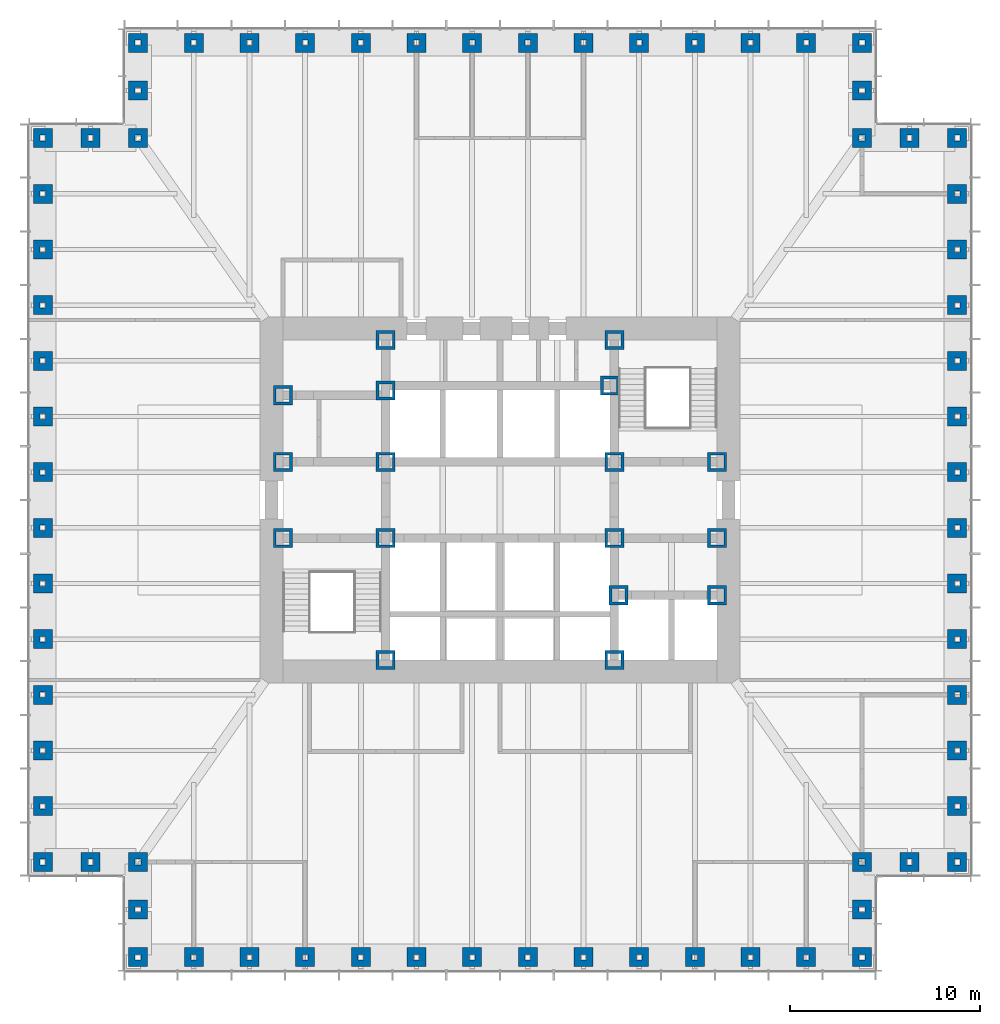
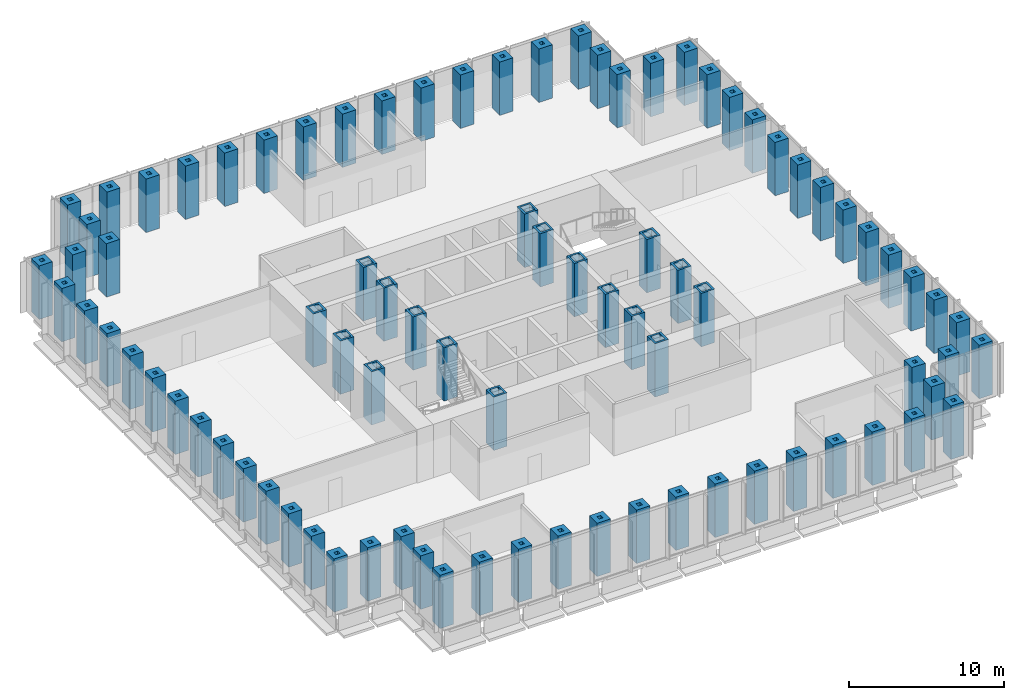
# One storey, part 1 of 16: 85 columns.
"""IFC4 building model written with IfcOpenShell, lengths in metres."""

from ifc_helpers import new_model, si_unit, direction, frame, origin, origin_2d, place, context, subcontext, project, spatial, hollow_rectangle, extrude, material, material_profile, profile_set, type_object, element, save


model = new_model("IFC4")

# Units and contexts
model_context = context("Model", 3, precision=1e-05, world=origin(), true_north=direction((0.0, 1.0)))
body_context = subcontext(model_context, "Body", "Model", "MODEL_VIEW")
ifc_project = project(units=[si_unit("LENGTHUNIT", "METRE"), si_unit("AREAUNIT", "SQUARE_METRE"), si_unit("VOLUMEUNIT", "CUBIC_METRE"), si_unit("PLANEANGLEUNIT", "RADIAN"), si_unit("MASSUNIT", "GRAM", prefix="KILO")], contexts=[model_context])

# Site, building, storey
site_placement = place(None, origin())
site = spatial("IfcSite", under=ifc_project, at=site_placement, CompositionType="ELEMENT")
building_placement = place(site_placement, origin())
building = spatial("IfcBuilding", under=site, at=building_placement, Name="Daluyong Arena Tower", CompositionType="ELEMENT")
storey_placement = place(building_placement, frame((0.0, 0.0, 39.10009765625)))
storey = spatial("IfcBuildingStorey", under=building, at=storey_placement, Name="L07", CompositionType="ELEMENT", Elevation=39.10009765625)

# Columns
ifc_material_1 = material(Name="Steel ASTM A588 Grade 50", Category="steel")
ifc_material_profile_1 = material_profile(ifc_material_1, hollow_rectangle(XDim=1.0, YDim=1.0, WallThickness=0.15, at=origin_2d()))
ifc_profile_set_1 = profile_set([ifc_material_profile_1], Name="Steel ASTM A588 Grade 50")
column_type_1 = type_object("IfcColumnType", Name="Core boundary column BX1000X150", PredefinedType="COLUMN", material=ifc_profile_set_1)
for number, where, z_axis, x_axis, name in (
    (1, (44.60009765625, 78.0, 0.0), (0.0, 0.0, 1.0), (1.0, 0.0, 0.0), "core boundary column BC1"),
    (2, (44.60009765625, 82.0, 0.0), (0.0, 0.0, 1.0), (1.0, 0.0, 0.0), "core boundary column BC1"),
    (3, (44.60009765625, 85.5, 0.0), (0.0, 0.0, 1.0), (1.0, 0.0, 0.0), "core boundary column BC1"),
    (4, (50.0, 71.60009765625, 0.0), (0.0, 0.0, 1.0), (1.0, 0.0, 0.0), "core boundary column BC1"),
    (5, (50.0, 78.0, 0.0), (0.0, 0.0, 1.0), (1.0, 0.0, 0.0), "core boundary column BC1"),
    (6, (50.0, 82.0, 0.0), (0.0, 0.0, 1.0), (1.0, 0.0, 0.0), "core boundary column BC1"),
    (7, (50.0, 85.75, 0.0), (0.0, 0.0, 1.0), (1.0, 0.0, 0.0), "core boundary column BC1"),
    (8, (50.0, 88.39990234375, 0.0), (0.0, 0.0, 1.0), (1.0, 0.0, 0.0), "core boundary column BC1"),
    (9, (61.77490234375, 86.0, 0.0), (0.0, 0.0, 1.0), (1.0, 0.0, 0.0), "core boundary column BC1"),
    (10, (62.0, 71.60009765625, 0.0), (0.0, 0.0, 1.0), (1.0, 0.0, 0.0), "core boundary column BC1"),
    (11, (62.0, 78.0, 0.0), (0.0, 0.0, 1.0), (1.0, 0.0, 0.0), "core boundary column BC1"),
    (12, (62.0, 82.0, 0.0), (0.0, 0.0, 1.0), (1.0, 0.0, 0.0), "core boundary column BC1"),
    (13, (62.0, 88.39990234375, 0.0), (0.0, 0.0, 1.0), (1.0, 0.0, 0.0), "core boundary column BC1"),
    (14, (62.22509765625, 75.0, 0.0), (0.0, 0.0, 1.0), (1.0, 0.0, 0.0), "core boundary column BC1"),
    (15, (67.39990234375, 75.0, 0.0), (0.0, 0.0, 1.0), (1.0, 0.0, 0.0), "core boundary column BC1"),
    (16, (67.39990234375, 78.0, 0.0), (0.0, 0.0, 1.0), (1.0, 0.0, 0.0), "core boundary column BC1"),
    (17, (67.39990234375, 82.0, 0.0), (0.0, 0.0, 1.0), (1.0, 0.0, 0.0), "core boundary column BC1"),
):
    element("IfcColumn", number, at=place(storey_placement, frame(where, z_axis=z_axis, x_axis=x_axis)), inside=storey, type_object=column_type_1, Name=name, PredefinedType="COLUMN", context=body_context, shape_type="SweptSolid", body=[
        extrude(hollow_rectangle(XDim=1.0, YDim=1.0, WallThickness=0.15, at=origin_2d()), origin(), (0.0, 0.0, 1.0), 4.199951171875),
    ])
ifc_material_2 = material(Name="Steel ASTM A36", Category="steel")
ifc_material_profile_2 = material_profile(ifc_material_2, hollow_rectangle(XDim=1.0, YDim=1.0, WallThickness=0.35, at=origin_2d()))
ifc_profile_set_2 = profile_set([ifc_material_profile_2], Name="Steel ASTM A36")
column_type_2 = type_object("IfcColumnType", Name="Tube column BX1000X350 BX1000X350", PredefinedType="COLUMN", material=ifc_profile_set_2)
for number, where, z_axis, x_axis, name in (
    (18, (37.0, 56.0, 0.0), (0.0, 0.0, 1.0), (1.0, 0.0, 0.0), "tube column bx1000x350 TC3"),
    (19, (39.923095703125, 56.0, 0.0), (0.0, 0.0, 1.0), (1.0, 0.0, 0.0), "tube column bx1000x350 TC3"),
    (20, (42.84619140625, 56.0, 0.0), (0.0, 0.0, 1.0), (1.0, 0.0, 0.0), "tube column bx1000x350 TC3"),
    (21, (45.769287109375, 56.0, 0.0), (0.0, 0.0, 1.0), (1.0, 0.0, 0.0), "tube column bx1000x350 TC3"),
    (22, (48.6923828125, 56.0, 0.0), (0.0, 0.0, 1.0), (1.0, 0.0, 0.0), "tube column bx1000x350 TC3"),
    (23, (51.615478515625, 56.0, 0.0), (0.0, 0.0, 1.0), (1.0, 0.0, 0.0), "tube column bx1000x350 TC3"),
    (24, (54.53857421875, 56.0, 0.0), (0.0, 0.0, 1.0), (1.0, 0.0, 0.0), "tube column bx1000x350 TC3"),
    (25, (57.46142578125, 56.0, 0.0), (0.0, 0.0, 1.0), (1.0, 0.0, 0.0), "tube column bx1000x350 TC3"),
    (26, (60.384521484375, 56.0, 0.0), (0.0, 0.0, 1.0), (1.0, 0.0, 0.0), "tube column bx1000x350 TC3"),
    (27, (63.3076171875, 56.0, 0.0), (0.0, 0.0, 1.0), (1.0, 0.0, 0.0), "tube column bx1000x350 TC3"),
    (28, (66.230712890625, 56.0, 0.0), (0.0, 0.0, 1.0), (1.0, 0.0, 0.0), "tube column bx1000x350 TC3"),
    (29, (69.15380859375, 56.0, 0.0), (0.0, 0.0, 1.0), (1.0, 0.0, 0.0), "tube column bx1000x350 TC3"),
    (30, (72.076904296875, 56.0, 0.0), (0.0, 0.0, 1.0), (1.0, 0.0, 0.0), "tube column bx1000x350 TC3"),
    (31, (75.0, 56.0, 0.0), (0.0, 0.0, 1.0), (0.0, 1.0, 0.0), "tube column bx1000x350 TC3"),
    (32, (75.0, 58.5, 0.0), (0.0, 0.0, 1.0), (0.0, 1.0, 0.0), "tube column bx1000x350 TC3"),
    (33, (75.0, 61.0, 0.0), (0.0, 0.0, 1.0), (1.0, 0.0, 0.0), "tube column bx1000x350 TC3"),
    (34, (77.5, 61.0, 0.0), (0.0, 0.0, 1.0), (1.0, 0.0, 0.0), "tube column bx1000x350 TC3"),
    (35, (80.0, 61.0, 0.0), (0.0, 0.0, 1.0), (0.0, 1.0, 0.0), "tube column bx1000x350 TC3"),
    (36, (80.0, 63.923095703125, 0.0), (0.0, 0.0, 1.0), (0.0, 1.0, 0.0), "tube column bx1000x350 TC3"),
    (37, (80.0, 66.84619140625, 0.0), (0.0, 0.0, 1.0), (0.0, 1.0, 0.0), "tube column bx1000x350 TC3"),
    (38, (80.0, 69.769287109375, 0.0), (0.0, 0.0, 1.0), (0.0, 1.0, 0.0), "tube column bx1000x350 TC3"),
    (39, (80.0, 72.6923828125, 0.0), (0.0, 0.0, 1.0), (0.0, 1.0, 0.0), "tube column bx1000x350 TC3"),
    (40, (80.0, 75.615478515625, 0.0), (0.0, 0.0, 1.0), (0.0, 1.0, 0.0), "tube column bx1000x350 TC3"),
    (41, (80.0, 78.53857421875, 0.0), (0.0, 0.0, 1.0), (0.0, 1.0, 0.0), "tube column bx1000x350 TC3"),
    (42, (80.0, 81.46142578125, 0.0), (0.0, 0.0, 1.0), (0.0, 1.0, 0.0), "tube column bx1000x350 TC3"),
    (43, (80.0, 84.384521484375, 0.0), (0.0, 0.0, 1.0), (0.0, 1.0, 0.0), "tube column bx1000x350 TC3"),
    (44, (80.0, 87.3076171875, 0.0), (0.0, 0.0, 1.0), (0.0, 1.0, 0.0), "tube column bx1000x350 TC3"),
    (45, (80.0, 90.230712890625, 0.0), (0.0, 0.0, 1.0), (0.0, 1.0, 0.0), "tube column bx1000x350 TC3"),
    (46, (80.0, 93.15380859375, 0.0), (0.0, 0.0, 1.0), (0.0, 1.0, 0.0), "tube column bx1000x350 TC3"),
    (47, (80.0, 96.076904296875, 0.0), (0.0, 0.0, 1.0), (0.0, 1.0, 0.0), "tube column bx1000x350 TC3"),
    (48, (80.0, 99.0, 0.0), (0.0, 0.0, 1.0), (1.0, 0.0, 0.0), "tube column bx1000x350 TC3"),
    (49, (77.5, 99.0, 0.0), (0.0, 0.0, 1.0), (1.0, 0.0, 0.0), "tube column bx1000x350 TC3"),
    (50, (75.0, 99.0, 0.0), (0.0, 0.0, 1.0), (0.0, 1.0, 0.0), "tube column bx1000x350 TC3"),
    (51, (75.0, 101.5, 0.0), (0.0, 0.0, 1.0), (0.0, 1.0, 0.0), "tube column bx1000x350 TC3"),
    (52, (75.0, 104.0, 0.0), (0.0, 0.0, 1.0), (1.0, 0.0, 0.0), "tube column bx1000x350 TC3"),
    (53, (72.076904296875, 104.0, 0.0), (0.0, 0.0, 1.0), (1.0, 0.0, 0.0), "tube column bx1000x350 TC3"),
    (54, (69.15380859375, 104.0, 0.0), (0.0, 0.0, 1.0), (1.0, 0.0, 0.0), "tube column bx1000x350 TC3"),
    (55, (66.230712890625, 104.0, 0.0), (0.0, 0.0, 1.0), (1.0, 0.0, 0.0), "tube column bx1000x350 TC3"),
    (56, (63.3076171875, 104.0, 0.0), (0.0, 0.0, 1.0), (1.0, 0.0, 0.0), "tube column bx1000x350 TC3"),
    (57, (60.384521484375, 104.0, 0.0), (0.0, 0.0, 1.0), (1.0, 0.0, 0.0), "tube column bx1000x350 TC3"),
    (58, (57.46142578125, 104.0, 0.0), (0.0, 0.0, 1.0), (1.0, 0.0, 0.0), "tube column bx1000x350 TC3"),
    (59, (54.53857421875, 104.0, 0.0), (0.0, 0.0, 1.0), (1.0, 0.0, 0.0), "tube column bx1000x350 TC3"),
    (60, (51.615478515625, 104.0, 0.0), (0.0, 0.0, 1.0), (1.0, 0.0, 0.0), "tube column bx1000x350 TC3"),
    (61, (48.6923828125, 104.0, 0.0), (0.0, 0.0, 1.0), (1.0, 0.0, 0.0), "tube column bx1000x350 TC3"),
    (62, (45.769287109375, 104.0, 0.0), (0.0, 0.0, 1.0), (1.0, 0.0, 0.0), "tube column bx1000x350 TC3"),
    (63, (42.84619140625, 104.0, 0.0), (0.0, 0.0, 1.0), (1.0, 0.0, 0.0), "tube column bx1000x350 TC3"),
    (64, (39.923095703125, 104.0, 0.0), (0.0, 0.0, 1.0), (1.0, 0.0, 0.0), "tube column bx1000x350 TC3"),
    (65, (37.0, 104.0, 0.0), (0.0, 0.0, 1.0), (0.0, 1.0, 0.0), "tube column bx1000x350 TC3"),
    (66, (37.0, 101.5, 0.0), (0.0, 0.0, 1.0), (0.0, 1.0, 0.0), "tube column bx1000x350 TC3"),
    (67, (37.0, 99.0, 0.0), (0.0, 0.0, 1.0), (1.0, 0.0, 0.0), "tube column bx1000x350 TC3"),
    (68, (34.5, 99.0, 0.0), (0.0, 0.0, 1.0), (1.0, 0.0, 0.0), "tube column bx1000x350 TC3"),
    (69, (32.0, 99.0, 0.0), (0.0, 0.0, 1.0), (0.0, 1.0, 0.0), "tube column bx1000x350 TC3"),
    (70, (32.0, 96.076904296875, 0.0), (0.0, 0.0, 1.0), (0.0, 1.0, 0.0), "tube column bx1000x350 TC3"),
    (71, (32.0, 93.15380859375, 0.0), (0.0, 0.0, 1.0), (0.0, 1.0, 0.0), "tube column bx1000x350 TC3"),
    (72, (32.0, 90.230712890625, 0.0), (0.0, 0.0, 1.0), (0.0, 1.0, 0.0), "tube column bx1000x350 TC3"),
    (73, (32.0, 87.3076171875, 0.0), (0.0, 0.0, 1.0), (0.0, 1.0, 0.0), "tube column bx1000x350 TC3"),
    (74, (32.0, 84.384521484375, 0.0), (0.0, 0.0, 1.0), (0.0, 1.0, 0.0), "tube column bx1000x350 TC3"),
    (75, (32.0, 81.46142578125, 0.0), (0.0, 0.0, 1.0), (0.0, 1.0, 0.0), "tube column bx1000x350 TC3"),
    (76, (32.0, 78.53857421875, 0.0), (0.0, 0.0, 1.0), (0.0, 1.0, 0.0), "tube column bx1000x350 TC3"),
    (77, (32.0, 75.615478515625, 0.0), (0.0, 0.0, 1.0), (0.0, 1.0, 0.0), "tube column bx1000x350 TC3"),
    (78, (32.0, 72.6923828125, 0.0), (0.0, 0.0, 1.0), (0.0, 1.0, 0.0), "tube column bx1000x350 TC3"),
    (79, (32.0, 69.769287109375, 0.0), (0.0, 0.0, 1.0), (0.0, 1.0, 0.0), "tube column bx1000x350 TC3"),
    (80, (32.0, 66.84619140625, 0.0), (0.0, 0.0, 1.0), (0.0, 1.0, 0.0), "tube column bx1000x350 TC3"),
    (81, (32.0, 63.923095703125, 0.0), (0.0, 0.0, 1.0), (0.0, 1.0, 0.0), "tube column bx1000x350 TC3"),
    (82, (32.0, 61.0, 0.0), (0.0, 0.0, 1.0), (1.0, 0.0, 0.0), "tube column bx1000x350 TC3"),
    (83, (34.5, 61.0, 0.0), (0.0, 0.0, 1.0), (1.0, 0.0, 0.0), "tube column bx1000x350 TC3"),
    (84, (37.0, 61.0, 0.0), (0.0, 0.0, 1.0), (0.0, 1.0, 0.0), "tube column bx1000x350 TC3"),
    (85, (37.0, 58.5, 0.0), (0.0, 0.0, 1.0), (0.0, 1.0, 0.0), "tube column bx1000x350 TC3"),
):
    element("IfcColumn", number, at=place(storey_placement, frame(where, z_axis=z_axis, x_axis=x_axis)), inside=storey, type_object=column_type_2, Name=name, PredefinedType="COLUMN", context=body_context, shape_type="SweptSolid", body=[
        extrude(hollow_rectangle(XDim=1.0, YDim=1.0, WallThickness=0.35, at=origin_2d()), origin(), (0.0, 0.0, 1.0), 4.199951171875),
    ])

save(model, "model.ifc")
